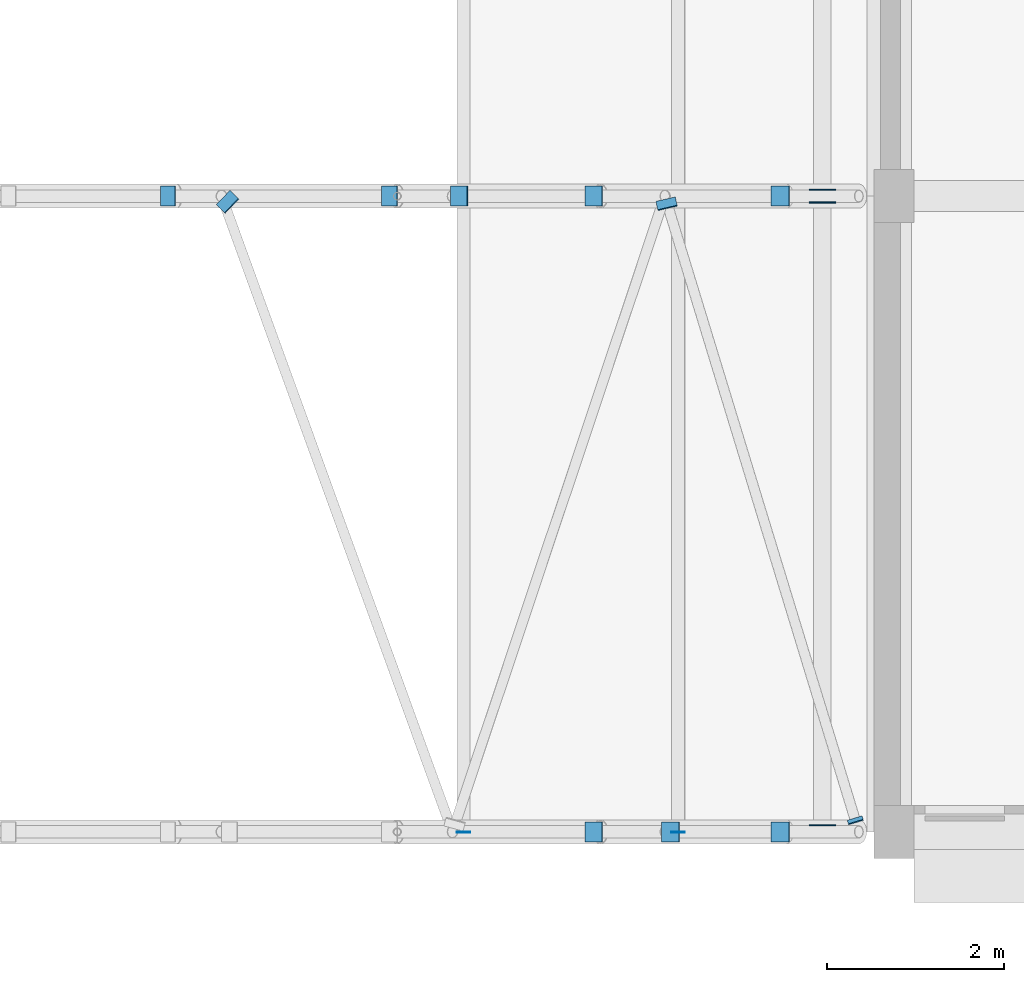
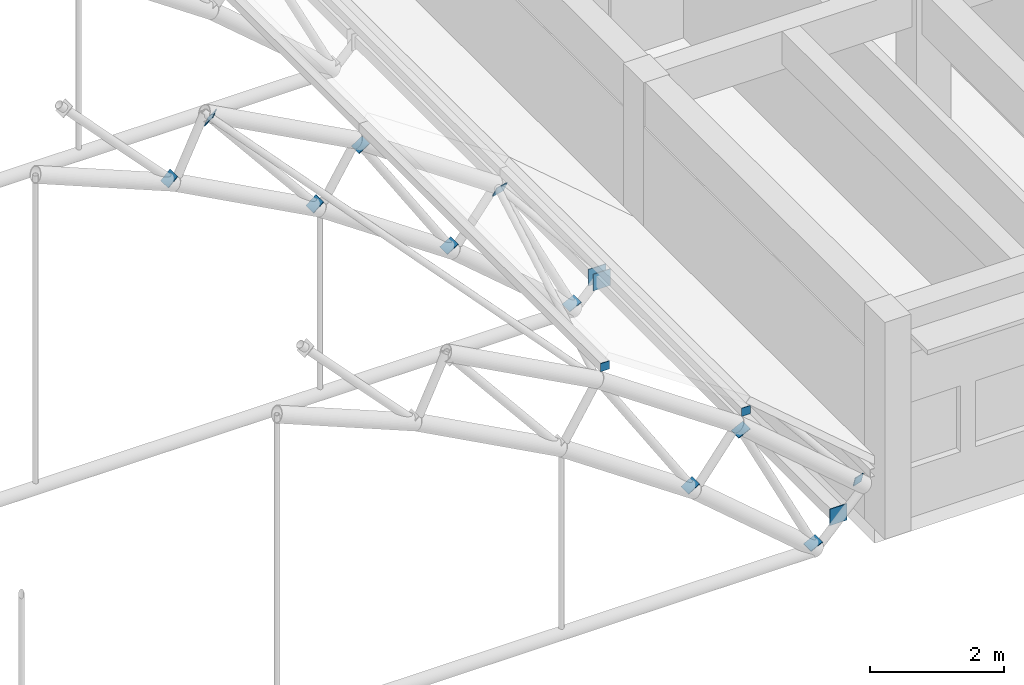
# One storey, part 86 of 101: 16 discrete accessories.
"""IFC4 building model written with IfcOpenShell, lengths in metres."""

from ifc_helpers import new_model, si_unit, direction, frame, origin, origin_2d, place, context, subcontext, project, spatial, rectangle, extrude, material, material_profile, profile_set, type_object, element, save


model = new_model("IFC4")

# Units and contexts
model_context = context("Model", 3, precision=1e-05, world=origin(), true_north=direction((0.0, 1.0)))
body_context = subcontext(model_context, "Body", "Model", "MODEL_VIEW")
ifc_project = project(units=[si_unit("LENGTHUNIT", "METRE"), si_unit("AREAUNIT", "SQUARE_METRE"), si_unit("VOLUMEUNIT", "CUBIC_METRE"), si_unit("PLANEANGLEUNIT", "RADIAN"), si_unit("MASSUNIT", "GRAM", prefix="KILO")], contexts=[model_context])

# Site, building, storey
site_placement = place(None, origin())
site = spatial("IfcSite", under=ifc_project, at=site_placement, CompositionType="ELEMENT")
building_placement = place(site_placement, origin())
building = spatial("IfcBuilding", under=site, at=building_placement, Name="Laocheng Heights Fire and Rescue Headquarters", CompositionType="ELEMENT")
storey_placement = place(building_placement, frame((0.0, 0.0, 8.39990234375)))
storey = spatial("IfcBuildingStorey", under=building, at=storey_placement, Name="L02", CompositionType="ELEMENT", Elevation=8.39990234375)

# Discrete accessories
ifc_material_1 = material(Name="Steel Q355B", Category="steel")
ifc_material_profile_1 = material_profile(ifc_material_1, rectangle(XDim=0.14990234375, YDim=0.14990234375, at=origin_2d()), Name="END CAP PLATE 150 x 150 x 8 FOR BAY ROOF PURLIN SHS 150x150x8")
ifc_profile_set_1 = profile_set([ifc_material_profile_1], Name="Steel Q355B")
discrete_accessory_type_1 = type_object("IfcDiscreteAccessoryType", Name="END CAP PLATE 150 x 150 x 8 FOR BAY ROOF PURLIN SHS 150x150x8", PredefinedType="BRACKET", material=ifc_profile_set_1)
for number, where, z_axis, x_axis, name in (
    (1, (50.35009765625, -0.008056640625, 4.60595703125), (0.0, 1.0, 0.0), (-1.0, 0.0, 0.0), "Cap plate at Purlin 15.1 end 1"),
    (2, (52.778564453125, -0.008056640625, 2.941162109375), (0.0, 1.0, 0.0), (-1.0, 0.0, 0.0), "Cap plate at Purlin 16.1 end 1"),
):
    element("IfcDiscreteAccessory", number, at=place(storey_placement, frame(where, z_axis=z_axis, x_axis=x_axis)), inside=storey, type_object=discrete_accessory_type_1, Name=name, PredefinedType="BRACKET", context=body_context, shape_type="SweptSolid", body=[
        extrude(rectangle(XDim=0.14990234375, YDim=0.14990234375, at=origin_2d()), origin(), (0.0, 0.0, 1.0), 0.008056640625),
    ])
ifc_material_2 = material(Name="Steel Q355B, dark grey painted", Category="steel")
ifc_material_profile_2 = material_profile(ifc_material_2, rectangle(XDim=0.175048828125, YDim=0.175048828125, at=origin_2d()), Name="GUSSET PLATE 175 x 175 x 12 FOR BAY ROOF BRACE CHS 114.3x5")
ifc_profile_set_2 = profile_set([ifc_material_profile_2], Name="Steel Q355B, dark grey painted")
discrete_accessory_type_2 = type_object("IfcDiscreteAccessoryType", Name="GUSSET PLATE 175 x 175 x 12 FOR BAY ROOF BRACE CHS 114.3x5", PredefinedType="BRACKET", material=ifc_profile_set_2)
discrete_accessory_1_placement = place(storey_placement, frame((54.7900390625, 0.124267578125, 0.901611328125), z_axis=(-0.282497009295, 0.928204459112, 0.242140293681), x_axis=(-0.956673880429, -0.291161615783, 0.0)))
element("IfcDiscreteAccessory", 3, at=discrete_accessory_1_placement, inside=storey, type_object=discrete_accessory_type_2, Name="End plate at BR16 end 1", PredefinedType="BRACKET", context=body_context, shape_type="SweptSolid", body=[
    extrude(rectangle(XDim=0.175048828125, YDim=0.175048828125, at=origin_2d()), origin(), (0.0, 0.0, 1.0), 0.01220703125),
])
ifc_material_3 = material(Name="Steel Q355B, dark grey painted", Category="steel")
ifc_material_profile_3 = material_profile(ifc_material_3, rectangle(XDim=0.22509765625, YDim=0.22509765625, at=origin_2d()), Name="GUSSET PLATE 225 x 225 x 12 FOR BAY ROOF DIAG CHS 139.7x6")
ifc_profile_set_3 = profile_set([ifc_material_profile_3], Name="Steel Q355B, dark grey painted")
discrete_accessory_type_3 = type_object("IfcDiscreteAccessoryType", Name="GUSSET PLATE 225 x 225 x 12 FOR BAY ROOF DIAG CHS 139.7x6", PredefinedType="BRACKET", material=ifc_profile_set_3)
for number, where, z_axis, x_axis, name in (
    (4, (51.827392578125, 0.0, 1.910888671875), (-0.535542025358, 0.0, 0.84450857845), (0.0, -1.0, 0.0), "End plate at TR1-DG15 end 1"),
    (5, (53.940185546875, 0.0, 0.1201171875), (-0.4472135955, 0.0, 0.894427191), (0.0, -1.0, 0.0), "End plate at TR1-DG16 end 1"),
    (6, (52.696044921875, 0.0, 2.618408203125), (-0.4472135955, 0.0, 0.894427191), (0.0, -1.0, 0.0), "End plate at TR1-DG16 end 2"),
    (7, (47.008056640625, 7.199951171875, 4.819580078125), (-0.696785684263, 0.0, 0.717279380859), (0.0, -1.0, 0.0), "End plate at TR2-DG13 end 1"),
    (8, (49.51513671875, 7.199951171875, 3.480712890625), (-0.632126727472, 0.0, 0.774865020772), (0.0, -1.0, 0.0), "End plate at TR2-DG14 end 1"),
    (9, (51.827392578125, 7.199951171875, 1.910888671875), (-0.535542025358, 0.0, 0.84450857845), (0.0, -1.0, 0.0), "End plate at TR2-DG15 end 1"),
    (10, (50.303955078125, 7.199951171875, 4.2783203125), (-0.535542025358, 0.0, 0.84450857845), (0.0, -1.0, 0.0), "End plate at TR2-DG15 end 2"),
    (11, (53.940185546875, 7.199951171875, 0.1201171875), (-0.4472135955, 0.0, 0.894427191), (0.0, -1.0, 0.0), "End plate at TR2-DG16 end 1"),
):
    element("IfcDiscreteAccessory", number, at=place(storey_placement, frame(where, z_axis=z_axis, x_axis=x_axis)), inside=storey, type_object=discrete_accessory_type_3, Name=name, PredefinedType="BRACKET", context=body_context, shape_type="SweptSolid", body=[
        extrude(rectangle(XDim=0.22509765625, YDim=0.22509765625, at=origin_2d()), origin(), (0.0, 0.0, 1.0), 0.011962890625),
    ])
ifc_material_4 = material(Name="Steel Q355B, dark grey painted", Category="steel")
ifc_material_profile_4 = material_profile(ifc_material_4, rectangle(XDim=0.300048828125, YDim=0.300048828125, at=origin_2d()), Name="GUSSET PLATE 300 x 300 x 12 FOR BAY ROOF EAVES SHS 200x200x8")
ifc_profile_set_4 = profile_set([ifc_material_profile_4], Name="Steel Q355B, dark grey painted")
discrete_accessory_type_4 = type_object("IfcDiscreteAccessoryType", Name="GUSSET PLATE 300 x 300 x 12 FOR BAY ROOF EAVES SHS 200x200x8", PredefinedType="BRACKET", material=ifc_profile_set_4)
for number, where, z_axis, x_axis, name in (
    (12, (54.4140625, 0.06591796875, 0.4345703125), (0.0, 1.0, 0.0), (-1.0, 0.0, 0.0), "End plate at ES4 end 1"),
    (13, (54.4140625, 7.122314453125, 0.4345703125), (0.0, 1.0, 0.0), (-1.0, 0.0, 0.0), "End plate at ES4 end 2"),
    (14, (54.4140625, 7.265869140625, 0.4345703125), (0.0, 1.0, 0.0), (-1.0, 0.0, 0.0), "End plate at ES5 end 1"),
):
    element("IfcDiscreteAccessory", number, at=place(storey_placement, frame(where, z_axis=z_axis, x_axis=x_axis)), inside=storey, type_object=discrete_accessory_type_4, Name=name, PredefinedType="BRACKET", context=body_context, shape_type="SweptSolid", body=[
        extrude(rectangle(XDim=0.300048828125, YDim=0.300048828125, at=origin_2d()), origin(), (0.0, 0.0, 1.0), 0.011962890625),
    ])
ifc_material_5 = material(Name="Steel Q355B, dark grey painted", Category="steel")
ifc_material_profile_5 = material_profile(ifc_material_5, rectangle(XDim=0.22509765625, YDim=0.22509765625, at=origin_2d()), Name="NODE PLATE 225 x 225 x 12 FOR BAY ROOF BRACE CHS 114.3x5")
ifc_profile_set_5 = profile_set([ifc_material_profile_5], Name="Steel Q355B, dark grey painted")
discrete_accessory_type_5 = type_object("IfcDiscreteAccessoryType", Name="NODE PLATE 225 x 225 x 12 FOR BAY ROOF BRACE CHS 114.3x5", PredefinedType="BRACKET", material=ifc_profile_set_5)
discrete_accessory_2_placement = place(storey_placement, frame((47.67431640625, 7.138671875, 5.744873046875), z_axis=(0.583984690219, -0.563847287108, -0.583984690219), x_axis=(0.6945945137, 0.719401460617, 0.0)))
element("IfcDiscreteAccessory", 15, at=discrete_accessory_2_placement, inside=storey, type_object=discrete_accessory_type_5, Name="Node plate at BR14 end 2, TR2-DG14 end 2", PredefinedType="BRACKET", context=body_context, shape_type="SweptSolid", body=[
    extrude(rectangle(XDim=0.22509765625, YDim=0.22509765625, at=origin_2d()), origin(), (0.0, 0.0, 1.0), 0.01220703125),
])
discrete_accessory_3_placement = place(storey_placement, frame((52.6494140625, 7.11865234375, 2.70849609375), z_axis=(0.204550737432, -0.879568170959, -0.429556548608), x_axis=(0.974008027039, 0.22651349466, 0.0)))
element("IfcDiscreteAccessory", 16, at=discrete_accessory_3_placement, inside=storey, type_object=discrete_accessory_type_5, Name="Node plate at BR15 end 2, BR16 end 2, TR2-DG16 end 2", PredefinedType="BRACKET", context=body_context, shape_type="SweptSolid", body=[
    extrude(rectangle(XDim=0.22509765625, YDim=0.22509765625, at=origin_2d()), origin(), (0.0, 0.0, 1.0), 0.011962890625),
])

save(model, "model.ifc")
